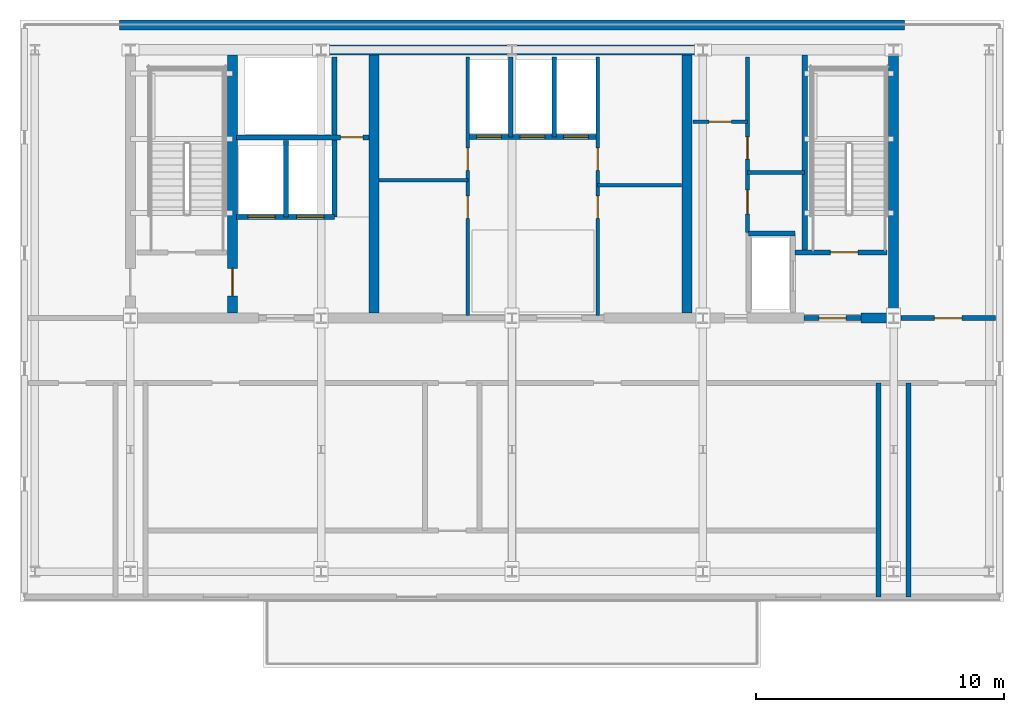
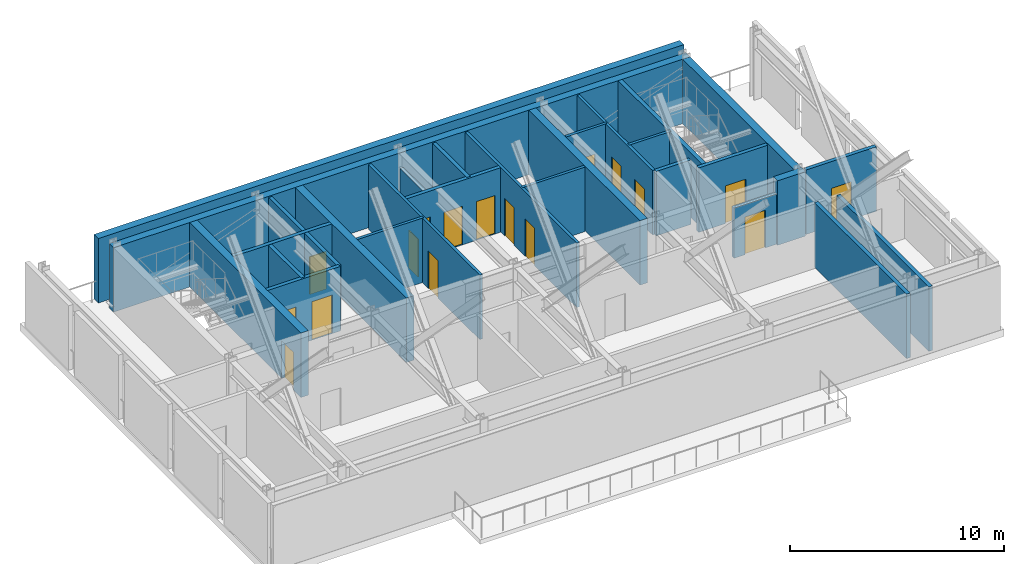
# One storey, part 3 of 8: 28 walls, 17 doors, 17 openings.
"""IFC4 building model written with IfcOpenShell, lengths in metres."""

from ifc_helpers import new_model, si_unit, direction, frame, frame_2d, origin, place, context, subcontext, project, spatial, rectangle, extrude, material, layer, layer_set, type_object, element, fill, save


model = new_model("IFC4")

# Units and contexts
model_context = context("Model", 3, precision=1e-05, world=origin(), true_north=direction((0.0, 1.0)))
body_context = subcontext(model_context, "Body", "Model", "MODEL_VIEW")
ifc_project = project(units=[si_unit("LENGTHUNIT", "METRE"), si_unit("AREAUNIT", "SQUARE_METRE"), si_unit("VOLUMEUNIT", "CUBIC_METRE"), si_unit("PLANEANGLEUNIT", "RADIAN"), si_unit("MASSUNIT", "GRAM", prefix="KILO")], contexts=[model_context])

# Site, building, storey
site_placement = place(None, origin())
site = spatial("IfcSite", under=ifc_project, at=site_placement, CompositionType="ELEMENT")
building_placement = place(site_placement, origin())
building = spatial("IfcBuilding", under=site, at=building_placement, Name="Yelkora Congress Tower", CompositionType="ELEMENT")
storey_placement = place(building_placement, frame((0.0, 0.0, 247.39990234375)))
storey = spatial("IfcBuildingStorey", under=building, at=storey_placement, Name="L69", CompositionType="ELEMENT", Elevation=247.39990234375)

# Walls
ifc_material_1 = material(Name="Concrete C50/60", Category="concrete")
ifc_layer_1 = layer(ifc_material_1, 0.39990234375)
ifc_layer_set_1 = layer_set([ifc_layer_1], Name="Concrete C50/60")
wall_type_1 = type_object("IfcWallType", Name="WALL-CORE-EXT-400", PredefinedType="SHEAR", material=ifc_layer_set_1)
wall_1_placement = place(storey_placement, frame((22.60009765625, 47.199951171875, 0.0), z_axis=(0.0, 0.0, 1.0), x_axis=(1.0, 0.0, 0.0)))
element("IfcWall", 1, at=wall_1_placement, inside=storey, type_object=wall_type_1, Name="L69 Exterior North Core Shear Wall", PredefinedType="SHEAR", context=body_context, shape_type="SweptSolid", body=[
    extrude(rectangle(XDim=31.599853515625, YDim=0.39990234375, at=frame_2d((15.7998046875, 0.0))), origin(), (0.0, 0.0, 1.0), 3.68017578125),
])
ifc_layer_2 = layer(ifc_material_1, 0.219970703125)
ifc_layer_set_2 = layer_set([ifc_layer_2], Name="Concrete C50/60")
wall_type_2 = type_object("IfcWallType", Name="WALL-CORE-INT-220", PredefinedType="SHEAR", material=ifc_layer_set_2)
wall_2_placement = place(storey_placement, frame((50.179931640625, 38.050048828125, 0.0), z_axis=(0.0, 0.0, 1.0), x_axis=(0.0, 1.0, 0.0)))
element("IfcWall", 2, at=wall_2_placement, inside=storey, type_object=wall_type_2, Name="L69 ST02 West Stair Shear Wall", PredefinedType="SHEAR", context=body_context, shape_type="SweptSolid", body=[
    extrude(rectangle(XDim=7.949951171875, YDim=0.219970703125, at=frame_2d((3.97509765625, 0.0))), origin(), (0.0, 0.0, 1.0), 3.68017578125),
])
ifc_layer_3 = layer(ifc_material_1, 0.39990234375)
ifc_layer_set_3 = layer_set([ifc_layer_3], Name="Concrete C50/60")
wall_type_3 = type_object("IfcWallType", Name="WALL-CORE-INT-400", PredefinedType="SHEAR", material=ifc_layer_set_3)
wall_3_placement = place(storey_placement, frame((22.840087890625, 46.199951171875, 0.0), z_axis=(0.0, 0.0, 1.0), x_axis=(1.0, 0.0, 0.0)))
element("IfcWall", 3, at=wall_3_placement, inside=storey, type_object=wall_type_3, Name="L69 Rear Core North Shear Wall", PredefinedType="SHEAR", context=body_context, shape_type="SweptSolid", body=[
    extrude(rectangle(XDim=31.119873046875, YDim=0.39990234375, at=frame_2d((15.56005859375, 0.0))), origin(), (0.0, 0.0, 1.0), 3.68017578125),
])
wall_4_placement = place(storey_placement, frame((52.449951171875, 35.39990234375, 0.0), z_axis=(0.0, 0.0, 1.0), x_axis=(1.0, 0.0, 0.0)))
element("IfcWall", 4, at=wall_4_placement, inside=storey, type_object=wall_type_3, Name="L69 Rear Core South-East Shear Wall B", PredefinedType="SHEAR", context=body_context, shape_type="SweptSolid", body=[
    extrude(rectangle(XDim=1.510009765625, YDim=0.39990234375, at=frame_2d((0.7548828125, 0.0))), origin(), (0.0, 0.0, 1.0), 3.68017578125),
])

# Wall, opening, door
wall_5_placement = place(storey_placement, frame((27.14990234375, 35.60009765625, 0.0), z_axis=(0.0, 0.0, 1.0), x_axis=(0.0, 1.0, 0.0)))
wall_5 = element("IfcWall", 5, at=wall_5_placement, inside=storey, type_object=wall_type_3, Name="L69 Rear Core Cross Shear Wall C1", PredefinedType="SHEAR", context=body_context, shape_type="SweptSolid", body=[
    extrude(rectangle(XDim=10.39990234375, YDim=0.39990234375, at=frame_2d((5.199951171875, 0.0))), origin(), (0.0, 0.0, 1.0), 3.68017578125),
])
opening_1_placement = place(wall_5_placement, frame((0.699951171875, 0.0, 0.0)))
opening_1 = element("IfcOpeningElement", 6, at=opening_1_placement, cuts=wall_5, Name="Opening DR-110F9", PredefinedType="OPENING", context=body_context, shape_type="SweptSolid", body=[
    extrude(rectangle(XDim=1.10009765625, YDim=2.14990234375, at=frame_2d((0.550048828125, 1.074951171875))), frame((0.0, 0.2099609375, 0.0), z_axis=(0.0, -1.0, 0.0), x_axis=(1.0, 0.0, 0.0)), (0.0, 0.0, 1.0), 0.419921875),
])
ifc_material_2 = material(Name="Galvanised steel fire door leaf", Category="steel")
door_type_1 = type_object("IfcDoorType", Name="DOOR-FD90-1100", OperationType="NOTDEFINED", PredefinedType="DOOR", material=ifc_material_2)
door_1_placement = place(opening_1_placement, origin())
door_1 = element("IfcDoor", 7, at=door_1_placement, inside=storey, type_object=door_type_1, Name="L69 Firefighting Stair Transfer Door", OperationType="SINGLE_SWING_LEFT", OverallHeight=2.14990234375, OverallWidth=1.10009765625, PredefinedType="DOOR", context=body_context, shape_type="SweptSolid", body=[
    extrude(rectangle(XDim=1.10009765625, YDim=2.14990234375, at=frame_2d((0.550048828125, 1.074951171875))), frame((0.0, 0.02490234375, 0.0), z_axis=(0.0, -1.0, 0.0), x_axis=(1.0, 0.0, 0.0)), (0.0, 0.0, 1.0), 0.050048828125),
])
fill(opening_1, door_1)

# Walls
for number, where, z_axis, x_axis, name in (
    (8, (32.85009765625, 35.60009765625, 0.0), (0.0, 0.0, 1.0), (0.0, 1.0, 0.0), "L69 Rear Core Cross Shear Wall C2"),
    (9, (45.449951171875, 35.60009765625, 0.0), (0.0, 0.0, 1.0), (0.0, 1.0, 0.0), "L69 Rear Core Cross Shear Wall C3"),
    (10, (53.760009765625, 35.60009765625, 0.0), (0.0, 0.0, 1.0), (0.0, 1.0, 0.0), "L69 Rear Core Cross Shear Wall E"),
):
    element("IfcWall", number, at=place(storey_placement, frame(where, z_axis=z_axis, x_axis=x_axis)), inside=storey, type_object=wall_type_3, Name=name, PredefinedType="SHEAR", context=body_context, shape_type="SweptSolid", body=[
        extrude(rectangle(XDim=10.39990234375, YDim=0.39990234375, at=frame_2d((5.199951171875, 0.0))), origin(), (0.0, 0.0, 1.0), 3.68017578125),
    ])

# Wall, opening, door
ifc_material_3 = material(Name="Acoustic metal-stud gypsum partition", Category="gypsum")
ifc_layer_4 = layer(ifc_material_3, 0.14990234375)
ifc_layer_set_4 = layer_set([ifc_layer_4], Name="Acoustic metal-stud gypsum partition")
wall_type_4 = type_object("IfcWallType", Name="WALL-INT-150-NR", PredefinedType="PARTITIONING", material=ifc_layer_set_4)
wall_6_placement = place(storey_placement, frame((45.679931640625, 43.31005859375, 0.0), z_axis=(0.0, 0.0, 1.0), x_axis=(1.0, 0.0, 0.0)))
wall_6 = element("IfcWall", 11, at=wall_6_placement, inside=storey, type_object=wall_type_4, Name="L69 Partition Wall 20", PredefinedType="PARTITIONING", context=body_context, shape_type="SweptSolid", body=[
    extrude(rectangle(XDim=2.199951171875, YDim=0.14990234375, at=frame_2d((1.10009765625, 0.0))), origin(), (0.0, 0.0, 1.0), 3.68017578125),
])
opening_2_placement = place(wall_6_placement, frame((0.64990234375, 0.0, 0.0)))
opening_2 = element("IfcOpeningElement", 12, at=opening_2_placement, cuts=wall_6, Name="Opening DR-090N", PredefinedType="OPENING", context=body_context, shape_type="SweptSolid", body=[
    extrude(rectangle(XDim=0.89990234375, YDim=2.14990234375, at=frame_2d((0.449951171875, 1.074951171875))), frame((0.0, 0.0849609375, 0.0), z_axis=(0.0, -1.0, 0.0), x_axis=(1.0, 0.0, 0.0)), (0.0, 0.0, 1.0), 0.169921875),
])
ifc_material_4 = material(Name="Moisture-resistant laminate door leaf", Category="wood")
door_type_2 = type_object("IfcDoorType", Name="DOOR-INT-900", OperationType="NOTDEFINED", PredefinedType="DOOR", material=ifc_material_4)
door_2_placement = place(opening_2_placement, origin())
door_2 = element("IfcDoor", 13, at=door_2_placement, inside=storey, type_object=door_type_2, Name="L69 Male WC Door", OperationType="SINGLE_SWING_LEFT", OverallHeight=2.14990234375, OverallWidth=0.89990234375, PredefinedType="DOOR", context=body_context, shape_type="SweptSolid", body=[
    extrude(rectangle(XDim=0.89990234375, YDim=2.14990234375, at=frame_2d((0.449951171875, 1.074951171875))), frame((0.0, 0.02490234375, 0.0), z_axis=(0.0, -1.0, 0.0), x_axis=(1.0, 0.0, 0.0)), (0.0, 0.0, 1.0), 0.050048828125),
])
fill(opening_2, door_2)

# Wall
wall_7_placement = place(storey_placement, frame((47.8798828125, 41.260009765625, 0.0), z_axis=(0.0, 0.0, 1.0), x_axis=(1.0, 0.0, 0.0)))
element("IfcWall", 14, at=wall_7_placement, inside=storey, type_object=wall_type_4, Name="L69 Partition Wall 21", PredefinedType="PARTITIONING", context=body_context, shape_type="SweptSolid", body=[
    extrude(rectangle(XDim=2.300048828125, YDim=0.14990234375, at=frame_2d((1.14990234375, 0.0))), origin(), (0.0, 0.0, 1.0), 3.68017578125),
])

# Wall, openings, doors
wall_8_placement = place(storey_placement, frame((47.8798828125, 38.85009765625, 0.0), z_axis=(0.0, 0.0, 1.0), x_axis=(0.0, 1.0, 0.0)))
wall_8 = element("IfcWall", 15, at=wall_8_placement, inside=storey, type_object=wall_type_4, Name="L69 Partition Wall 22", PredefinedType="PARTITIONING", context=body_context, shape_type="SweptSolid", body=[
    extrude(rectangle(XDim=7.06982421875, YDim=0.14990234375, at=frame_2d((3.534912109375, 0.0))), origin(), (0.0, 0.0, 1.0), 3.68017578125),
])
opening_3_placement = place(wall_8_placement, frame((0.75, 0.0, 0.0)))
opening_3 = element("IfcOpeningElement", 16, at=opening_3_placement, cuts=wall_8, Name="Opening DR-095N", PredefinedType="OPENING", context=body_context, shape_type="SweptSolid", body=[
    extrude(rectangle(XDim=0.949951171875, YDim=2.14990234375, at=frame_2d((0.47509765625, 1.074951171875))), frame((0.0, 0.0849609375, 0.0), z_axis=(0.0, -1.0, 0.0), x_axis=(1.0, 0.0, 0.0)), (0.0, 0.0, 1.0), 0.169921875),
])
opening_4_placement = place(wall_8_placement, frame((2.949951171875, 0.0, 0.0)))
opening_4 = element("IfcOpeningElement", 17, at=opening_4_placement, cuts=wall_8, Name="Opening DR-090N", PredefinedType="OPENING", context=body_context, shape_type="SweptSolid", body=[
    extrude(rectangle(XDim=0.89990234375, YDim=2.14990234375, at=frame_2d((0.449951171875, 1.074951171875))), frame((0.0, 0.0849609375, 0.0), z_axis=(0.0, -1.0, 0.0), x_axis=(1.0, 0.0, 0.0)), (0.0, 0.0, 1.0), 0.169921875),
])
door_3_placement = place(opening_4_placement, origin())
door_3 = element("IfcDoor", 18, at=door_3_placement, inside=storey, type_object=door_type_2, Name="L69 Female WC Door", OperationType="SINGLE_SWING_LEFT", OverallHeight=2.14990234375, OverallWidth=0.89990234375, PredefinedType="DOOR", context=body_context, shape_type="SweptSolid", body=[
    extrude(rectangle(XDim=0.89990234375, YDim=2.14990234375, at=frame_2d((0.449951171875, 1.074951171875))), frame((0.0, 0.02490234375, 0.0), z_axis=(0.0, -1.0, 0.0), x_axis=(1.0, 0.0, 0.0)), (0.0, 0.0, 1.0), 0.050048828125),
])
fill(opening_4, door_3)
ifc_material_5 = material(Name="Acoustic laminated timber office door", Category="wood")
door_type_3 = type_object("IfcDoorType", Name="DOOR-INT-950", OperationType="NOTDEFINED", PredefinedType="DOOR", material=ifc_material_5)
door_4_placement = place(opening_3_placement, origin())
door_4 = element("IfcDoor", 19, at=door_4_placement, inside=storey, type_object=door_type_3, Name="L69 Accessible WC Door", OperationType="SINGLE_SWING_RIGHT", OverallHeight=2.14990234375, OverallWidth=0.949951171875, PredefinedType="DOOR", context=body_context, shape_type="SweptSolid", body=[
    extrude(rectangle(XDim=0.949951171875, YDim=2.14990234375, at=frame_2d((0.47509765625, 1.074951171875))), frame((0.0, 0.02490234375, 0.0), z_axis=(0.0, -1.0, 0.0), x_axis=(1.0, 0.0, 0.0)), (0.0, 0.0, 1.0), 0.050048828125),
])
fill(opening_3, door_4)

# Wall
ifc_material_6 = material(Name="Twin-stud fire-rated gypsum partition", Category="gypsum")
ifc_layer_5 = layer(ifc_material_6, 0.14990234375)
ifc_layer_set_5 = layer_set([ifc_layer_5], Name="Twin-stud fire-rated gypsum partition")
wall_type_5 = type_object("IfcWallType", Name="WALL-INT-150-R60", PredefinedType="PARTITIONING", material=ifc_layer_set_5)
wall_9_placement = place(storey_placement, frame((33.050048828125, 40.949951171875, 0.0), z_axis=(0.0, 0.0, 1.0), x_axis=(1.0, 0.0, 0.0)))
element("IfcWall", 20, at=wall_9_placement, inside=storey, type_object=wall_type_5, Name="L69 Partition Wall 11", PredefinedType="PARTITIONING", context=body_context, shape_type="SweptSolid", body=[
    extrude(rectangle(XDim=3.570068359375, YDim=0.14990234375, at=frame_2d((1.78515625, 0.0))), origin(), (0.0, 0.0, 1.0), 3.68017578125),
])

# Wall, openings, doors
wall_10_placement = place(storey_placement, frame((36.6201171875, 35.5, 0.0), z_axis=(0.0, 0.0, 1.0), x_axis=(0.0, 1.0, 0.0)))
wall_10 = element("IfcWall", 21, at=wall_10_placement, inside=storey, type_object=wall_type_5, Name="L69 Partition Wall 12", PredefinedType="PARTITIONING", context=body_context, shape_type="SweptSolid", body=[
    extrude(rectangle(XDim=10.419921875, YDim=0.14990234375, at=frame_2d((5.2099609375, 0.0))), origin(), (0.0, 0.0, 1.0), 3.68017578125),
])
opening_5_placement = place(wall_10_placement, frame((3.919921875, 0.0, 0.0)))
opening_5 = element("IfcOpeningElement", 22, at=opening_5_placement, cuts=wall_10, Name="Opening DR-090F6", PredefinedType="OPENING", context=body_context, shape_type="SweptSolid", body=[
    extrude(rectangle(XDim=0.89990234375, YDim=2.14990234375, at=frame_2d((0.449951171875, 1.074951171875))), frame((0.0, 0.0849609375, 0.0), z_axis=(0.0, -1.0, 0.0), x_axis=(1.0, 0.0, 0.0)), (0.0, 0.0, 1.0), 0.169921875),
])
opening_6_placement = place(wall_10_placement, frame((5.85009765625, 0.0, 0.0)))
opening_6 = element("IfcOpeningElement", 23, at=opening_6_placement, cuts=wall_10, Name="Opening DR-090F6", PredefinedType="OPENING", context=body_context, shape_type="SweptSolid", body=[
    extrude(rectangle(XDim=0.89990234375, YDim=2.14990234375, at=frame_2d((0.449951171875, 1.074951171875))), frame((0.0, 0.0849609375, 0.0), z_axis=(0.0, -1.0, 0.0), x_axis=(1.0, 0.0, 0.0)), (0.0, 0.0, 1.0), 0.169921875),
])
ifc_material_7 = material(Name="Painted steel riser fire door leaf", Category="steel")
door_type_4 = type_object("IfcDoorType", Name="DOOR-FD60-900", OperationType="NOTDEFINED", PredefinedType="DOOR", material=ifc_material_7)
door_5_placement = place(opening_5_placement, origin())
door_5 = element("IfcDoor", 24, at=door_5_placement, inside=storey, type_object=door_type_4, Name="L69 Telecom Store Door", OperationType="SINGLE_SWING_RIGHT", OverallHeight=2.14990234375, OverallWidth=0.89990234375, PredefinedType="DOOR", context=body_context, shape_type="SweptSolid", body=[
    extrude(rectangle(XDim=0.89990234375, YDim=2.14990234375, at=frame_2d((0.449951171875, 1.074951171875))), frame((0.0, 0.02490234375, 0.0), z_axis=(0.0, -1.0, 0.0), x_axis=(1.0, 0.0, 0.0)), (0.0, 0.0, 1.0), 0.050048828125),
])
fill(opening_5, door_5)
door_6_placement = place(opening_6_placement, origin())
door_6 = element("IfcDoor", 25, at=door_6_placement, inside=storey, type_object=door_type_4, Name="L69 Archive Store Door", OperationType="SINGLE_SWING_LEFT", OverallHeight=2.14990234375, OverallWidth=0.89990234375, PredefinedType="DOOR", context=body_context, shape_type="SweptSolid", body=[
    extrude(rectangle(XDim=0.89990234375, YDim=2.14990234375, at=frame_2d((0.449951171875, 1.074951171875))), frame((0.0, 0.02490234375, 0.0), z_axis=(0.0, -1.0, 0.0), x_axis=(1.0, 0.0, 0.0)), (0.0, 0.0, 1.0), 0.050048828125),
])
fill(opening_6, door_6)

# Wall
wall_11_placement = place(storey_placement, frame((41.85009765625, 40.75, 0.0), z_axis=(0.0, 0.0, 1.0), x_axis=(1.0, 0.0, 0.0)))
element("IfcWall", 26, at=wall_11_placement, inside=storey, type_object=wall_type_5, Name="L69 Partition Wall 13", PredefinedType="PARTITIONING", context=body_context, shape_type="SweptSolid", body=[
    extrude(rectangle(XDim=3.369873046875, YDim=0.14990234375, at=frame_2d((1.68505859375, 0.0))), origin(), (0.0, 0.0, 1.0), 3.68017578125),
])

# Wall, openings, doors
wall_12_placement = place(storey_placement, frame((41.85009765625, 35.5, 0.0), z_axis=(0.0, 0.0, 1.0), x_axis=(0.0, 1.0, 0.0)))
wall_12 = element("IfcWall", 27, at=wall_12_placement, inside=storey, type_object=wall_type_5, Name="L69 Partition Wall 14", PredefinedType="PARTITIONING", context=body_context, shape_type="SweptSolid", body=[
    extrude(rectangle(XDim=10.419921875, YDim=0.14990234375, at=frame_2d((5.2099609375, 0.0))), origin(), (0.0, 0.0, 1.0), 3.68017578125),
])
opening_7_placement = place(wall_12_placement, frame((3.919921875, 0.0, 0.0)))
opening_7 = element("IfcOpeningElement", 28, at=opening_7_placement, cuts=wall_12, Name="Opening DR-090F6", PredefinedType="OPENING", context=body_context, shape_type="SweptSolid", body=[
    extrude(rectangle(XDim=0.89990234375, YDim=2.14990234375, at=frame_2d((0.449951171875, 1.074951171875))), frame((0.0, 0.0849609375, 0.0), z_axis=(0.0, -1.0, 0.0), x_axis=(1.0, 0.0, 0.0)), (0.0, 0.0, 1.0), 0.169921875),
])
opening_8_placement = place(wall_12_placement, frame((5.85009765625, 0.0, 0.0)))
opening_8 = element("IfcOpeningElement", 29, at=opening_8_placement, cuts=wall_12, Name="Opening DR-090F6", PredefinedType="OPENING", context=body_context, shape_type="SweptSolid", body=[
    extrude(rectangle(XDim=0.89990234375, YDim=2.14990234375, at=frame_2d((0.449951171875, 1.074951171875))), frame((0.0, 0.0849609375, 0.0), z_axis=(0.0, -1.0, 0.0), x_axis=(1.0, 0.0, 0.0)), (0.0, 0.0, 1.0), 0.169921875),
])
door_7_placement = place(opening_7_placement, origin())
door_7 = element("IfcDoor", 30, at=door_7_placement, inside=storey, type_object=door_type_4, Name="L69 High-Zone BMS Door", OperationType="SINGLE_SWING_RIGHT", OverallHeight=2.14990234375, OverallWidth=0.89990234375, PredefinedType="DOOR", context=body_context, shape_type="SweptSolid", body=[
    extrude(rectangle(XDim=0.89990234375, YDim=2.14990234375, at=frame_2d((0.449951171875, 1.074951171875))), frame((0.0, 0.02490234375, 0.0), z_axis=(0.0, -1.0, 0.0), x_axis=(1.0, 0.0, 0.0)), (0.0, 0.0, 1.0), 0.050048828125),
])
fill(opening_7, door_7)
door_8_placement = place(opening_8_placement, origin())
door_8 = element("IfcDoor", 31, at=door_8_placement, inside=storey, type_object=door_type_4, Name="L69 Linen Store Door", OperationType="SINGLE_SWING_LEFT", OverallHeight=2.14990234375, OverallWidth=0.89990234375, PredefinedType="DOOR", context=body_context, shape_type="SweptSolid", body=[
    extrude(rectangle(XDim=0.89990234375, YDim=2.14990234375, at=frame_2d((0.449951171875, 1.074951171875))), frame((0.0, 0.02490234375, 0.0), z_axis=(0.0, -1.0, 0.0), x_axis=(1.0, 0.0, 0.0)), (0.0, 0.0, 1.0), 0.050048828125),
])
fill(opening_8, door_8)

ifc_material_8 = material(Name="Autoclaved aerated concrete blockwork", Category="masonry")
ifc_layer_6 = layer(ifc_material_8, 0.199951171875)
ifc_layer_set_6 = layer_set([ifc_layer_6], Name="Autoclaved aerated concrete blockwork")
wall_type_6 = type_object("IfcWallType", Name="WALL-INT-200-R120", PredefinedType="PARTITIONING", material=ifc_layer_set_6)
wall_13_placement = place(storey_placement, frame((27.320068359375, 39.47998046875, 0.0), z_axis=(0.0, 0.0, 1.0), x_axis=(1.0, 0.0, 0.0)))
wall_13 = element("IfcWall", 32, at=wall_13_placement, inside=storey, type_object=wall_type_6, Name="L69 Firefighting Lift Front Wall", PredefinedType="PARTITIONING", context=body_context, shape_type="SweptSolid", body=[
    extrude(rectangle(XDim=3.93994140625, YDim=0.199951171875, at=frame_2d((1.969970703125, 0.0))), origin(), (0.0, 0.0, 1.0), 3.68017578125),
])
opening_9_placement = place(wall_13_placement, frame((0.449951171875, 0.0, 0.0)))
opening_9 = element("IfcOpeningElement", 33, at=opening_9_placement, cuts=wall_13, Name="Opening LD-FF11", PredefinedType="OPENING", context=body_context, shape_type="SweptSolid", body=[
    extrude(rectangle(XDim=1.10009765625, YDim=2.199951171875, at=frame_2d((0.550048828125, 1.10009765625))), frame((0.0, 0.10986328125, 0.0), z_axis=(0.0, -1.0, 0.0), x_axis=(1.0, 0.0, 0.0)), (0.0, 0.0, 1.0), 0.219970703125),
])
opening_10_placement = place(wall_13_placement, frame((2.409912109375, 0.0, 0.0)))
opening_10 = element("IfcOpeningElement", 34, at=opening_10_placement, cuts=wall_13, Name="Opening LD-FF11", PredefinedType="OPENING", context=body_context, shape_type="SweptSolid", body=[
    extrude(rectangle(XDim=1.10009765625, YDim=2.199951171875, at=frame_2d((0.550048828125, 1.10009765625))), frame((0.0, 0.10986328125, 0.0), z_axis=(0.0, -1.0, 0.0), x_axis=(1.0, 0.0, 0.0)), (0.0, 0.0, 1.0), 0.219970703125),
])
ifc_material_9 = material(Name="Brushed stainless steel 316L landing door", Category="steel")
door_type_5 = type_object("IfcDoorType", Name="DOOR-LIFT-FF-1100", OperationType="DOUBLE_DOOR_SLIDING", PredefinedType="DOOR", material=ifc_material_9)
door_9_placement = place(opening_9_placement, origin())
door_9 = element("IfcDoor", 35, at=door_9_placement, inside=storey, type_object=door_type_5, Name="Lift Landing Door LF-FF1 L69", OperationType="DOUBLE_DOOR_SLIDING", OverallHeight=2.199951171875, OverallWidth=1.10009765625, PredefinedType="DOOR", context=body_context, shape_type="SweptSolid", body=[
    extrude(rectangle(XDim=1.10009765625, YDim=2.199951171875, at=frame_2d((0.550048828125, 1.10009765625))), frame((0.0, 0.02490234375, 0.0), z_axis=(0.0, -1.0, 0.0), x_axis=(1.0, 0.0, 0.0)), (0.0, 0.0, 1.0), 0.050048828125),
])
fill(opening_9, door_9)
door_10_placement = place(opening_10_placement, origin())
door_10 = element("IfcDoor", 36, at=door_10_placement, inside=storey, type_object=door_type_5, Name="Lift Landing Door LF-FF2 L69", OperationType="DOUBLE_DOOR_SLIDING", OverallHeight=2.199951171875, OverallWidth=1.10009765625, PredefinedType="DOOR", context=body_context, shape_type="SweptSolid", body=[
    extrude(rectangle(XDim=1.10009765625, YDim=2.199951171875, at=frame_2d((0.550048828125, 1.10009765625))), frame((0.0, 0.02490234375, 0.0), z_axis=(0.0, -1.0, 0.0), x_axis=(1.0, 0.0, 0.0)), (0.0, 0.0, 1.0), 0.050048828125),
])
fill(opening_10, door_10)

# Walls
wall_14_placement = place(storey_placement, frame((29.300048828125, 39.47998046875, 0.0), z_axis=(0.0, 0.0, 1.0), x_axis=(0.0, 1.0, 0.0)))
element("IfcWall", 37, at=wall_14_placement, inside=storey, type_object=wall_type_6, Name="L69 Partition Wall 4", PredefinedType="PARTITIONING", context=body_context, shape_type="SweptSolid", body=[
    extrude(rectangle(XDim=3.070068359375, YDim=0.199951171875, at=frame_2d((1.53515625, 0.0))), origin(), (0.0, 0.0, 1.0), 3.68017578125),
])
wall_15_placement = place(storey_placement, frame((31.260009765625, 39.47998046875, 0.0), z_axis=(0.0, 0.0, 1.0), x_axis=(0.0, 1.0, 0.0)))
element("IfcWall", 38, at=wall_15_placement, inside=storey, type_object=wall_type_6, Name="L69 Partition Wall 5", PredefinedType="PARTITIONING", context=body_context, shape_type="SweptSolid", body=[
    extrude(rectangle(XDim=6.43994140625, YDim=0.199951171875, at=frame_2d((3.219970703125, 0.0))), origin(), (0.0, 0.0, 1.0), 3.68017578125),
])

# Wall, opening, door
wall_16_placement = place(storey_placement, frame((27.320068359375, 42.679931640625, 0.0), z_axis=(0.0, 0.0, 1.0), x_axis=(1.0, 0.0, 0.0)))
wall_16 = element("IfcWall", 39, at=wall_16_placement, inside=storey, type_object=wall_type_6, Name="L69 Smoke Riser South Wall", PredefinedType="PARTITIONING", context=body_context, shape_type="SweptSolid", body=[
    extrude(rectangle(XDim=5.329833984375, YDim=0.199951171875, at=frame_2d((2.6650390625, 0.0))), origin(), (0.0, 0.0, 1.0), 3.68017578125),
])
opening_11_placement = place(wall_16_placement, frame((4.179931640625, 0.0, 0.0)))
opening_11 = element("IfcOpeningElement", 40, at=opening_11_placement, cuts=wall_16, Name="Opening DR-090F6", PredefinedType="OPENING", context=body_context, shape_type="SweptSolid", body=[
    extrude(rectangle(XDim=0.89990234375, YDim=2.14990234375, at=frame_2d((0.449951171875, 1.074951171875))), frame((0.0, 0.10986328125, 0.0), z_axis=(0.0, -1.0, 0.0), x_axis=(1.0, 0.0, 0.0)), (0.0, 0.0, 1.0), 0.219970703125),
])
door_11_placement = place(opening_11_placement, origin())
door_11 = element("IfcDoor", 41, at=door_11_placement, inside=storey, type_object=door_type_4, Name="L69 Riser Access Door", OperationType="SINGLE_SWING_LEFT", OverallHeight=2.14990234375, OverallWidth=0.89990234375, PredefinedType="DOOR", context=body_context, shape_type="SweptSolid", body=[
    extrude(rectangle(XDim=0.89990234375, YDim=2.14990234375, at=frame_2d((0.449951171875, 1.074951171875))), frame((0.0, 0.02490234375, 0.0), z_axis=(0.0, -1.0, 0.0), x_axis=(1.0, 0.0, 0.0)), (0.0, 0.0, 1.0), 0.050048828125),
])
fill(opening_11, door_11)

# Wall, openings, doors
wall_17_placement = place(storey_placement, frame((36.60009765625, 42.699951171875, 0.0), z_axis=(0.0, 0.0, 1.0), x_axis=(1.0, 0.0, 0.0)))
wall_17 = element("IfcWall", 42, at=wall_17_placement, inside=storey, type_object=wall_type_6, Name="L69 Partition Wall 8", PredefinedType="PARTITIONING", context=body_context, shape_type="SweptSolid", body=[
    extrude(rectangle(XDim=5.25, YDim=0.199951171875, at=frame_2d((2.625, 0.0))), origin(), (0.0, 0.0, 1.0), 3.68017578125),
])
opening_12_placement = place(wall_17_placement, frame((0.375, 0.0, 0.0)))
opening_12 = element("IfcOpeningElement", 43, at=opening_12_placement, cuts=wall_17, Name="Opening LD-PS10", PredefinedType="OPENING", context=body_context, shape_type="SweptSolid", body=[
    extrude(rectangle(XDim=1.0, YDim=2.199951171875, at=frame_2d((0.5, 1.10009765625))), frame((0.0, 0.10986328125, 0.0), z_axis=(0.0, -1.0, 0.0), x_axis=(1.0, 0.0, 0.0)), (0.0, 0.0, 1.0), 0.219970703125),
])
opening_13_placement = place(wall_17_placement, frame((2.125, 0.0, 0.0)))
opening_13 = element("IfcOpeningElement", 44, at=opening_13_placement, cuts=wall_17, Name="Opening LD-PS10", PredefinedType="OPENING", context=body_context, shape_type="SweptSolid", body=[
    extrude(rectangle(XDim=1.0, YDim=2.199951171875, at=frame_2d((0.5, 1.10009765625))), frame((0.0, 0.10986328125, 0.0), z_axis=(0.0, -1.0, 0.0), x_axis=(1.0, 0.0, 0.0)), (0.0, 0.0, 1.0), 0.219970703125),
])
opening_14_placement = place(wall_17_placement, frame((3.875, 0.0, 0.0)))
opening_14 = element("IfcOpeningElement", 45, at=opening_14_placement, cuts=wall_17, Name="Opening LD-PS10", PredefinedType="OPENING", context=body_context, shape_type="SweptSolid", body=[
    extrude(rectangle(XDim=1.0, YDim=2.199951171875, at=frame_2d((0.5, 1.10009765625))), frame((0.0, 0.10986328125, 0.0), z_axis=(0.0, -1.0, 0.0), x_axis=(1.0, 0.0, 0.0)), (0.0, 0.0, 1.0), 0.219970703125),
])
ifc_material_10 = material(Name="Champagne stainless steel landing door", Category="steel")
door_type_6 = type_object("IfcDoorType", Name="DOOR-LIFT-PAS-1000", OperationType="DOUBLE_DOOR_SLIDING", PredefinedType="DOOR", material=ifc_material_10)
door_12_placement = place(opening_12_placement, origin())
door_12 = element("IfcDoor", 46, at=door_12_placement, inside=storey, type_object=door_type_6, Name="Lift Landing Door LF-P9 L69", OperationType="DOUBLE_DOOR_SLIDING", OverallHeight=2.199951171875, OverallWidth=1.0, PredefinedType="DOOR", context=body_context, shape_type="SweptSolid", body=[
    extrude(rectangle(XDim=1.0, YDim=2.199951171875, at=frame_2d((0.5, 1.10009765625))), frame((0.0, 0.02490234375, 0.0), z_axis=(0.0, -1.0, 0.0), x_axis=(1.0, 0.0, 0.0)), (0.0, 0.0, 1.0), 0.050048828125),
])
fill(opening_12, door_12)
door_13_placement = place(opening_13_placement, origin())
door_13 = element("IfcDoor", 47, at=door_13_placement, inside=storey, type_object=door_type_6, Name="Lift Landing Door LF-P10 L69", OperationType="DOUBLE_DOOR_SLIDING", OverallHeight=2.199951171875, OverallWidth=1.0, PredefinedType="DOOR", context=body_context, shape_type="SweptSolid", body=[
    extrude(rectangle(XDim=1.0, YDim=2.199951171875, at=frame_2d((0.5, 1.10009765625))), frame((0.0, 0.02490234375, 0.0), z_axis=(0.0, -1.0, 0.0), x_axis=(1.0, 0.0, 0.0)), (0.0, 0.0, 1.0), 0.050048828125),
])
fill(opening_13, door_13)
door_14_placement = place(opening_14_placement, origin())
door_14 = element("IfcDoor", 48, at=door_14_placement, inside=storey, type_object=door_type_6, Name="Lift Landing Door LF-P11 L69", OperationType="DOUBLE_DOOR_SLIDING", OverallHeight=2.199951171875, OverallWidth=1.0, PredefinedType="DOOR", context=body_context, shape_type="SweptSolid", body=[
    extrude(rectangle(XDim=1.0, YDim=2.199951171875, at=frame_2d((0.5, 1.10009765625))), frame((0.0, 0.02490234375, 0.0), z_axis=(0.0, -1.0, 0.0), x_axis=(1.0, 0.0, 0.0)), (0.0, 0.0, 1.0), 0.050048828125),
])
fill(opening_14, door_14)

# Walls
wall_18_placement = place(storey_placement, frame((38.35009765625, 42.699951171875, 0.0), z_axis=(0.0, 0.0, 1.0), x_axis=(0.0, 1.0, 0.0)))
element("IfcWall", 49, at=wall_18_placement, inside=storey, type_object=wall_type_6, Name="L69 Partition Wall 9", PredefinedType="PARTITIONING", context=body_context, shape_type="SweptSolid", body=[
    extrude(rectangle(XDim=3.219970703125, YDim=0.199951171875, at=frame_2d((1.60986328125, 0.0))), origin(), (0.0, 0.0, 1.0), 2.861083984375),
])
wall_19_placement = place(storey_placement, frame((40.10009765625, 42.699951171875, 0.0), z_axis=(0.0, 0.0, 1.0), x_axis=(0.0, 1.0, 0.0)))
element("IfcWall", 50, at=wall_19_placement, inside=storey, type_object=wall_type_6, Name="L69 Partition Wall 10", PredefinedType="PARTITIONING", context=body_context, shape_type="SweptSolid", body=[
    extrude(rectangle(XDim=3.219970703125, YDim=0.199951171875, at=frame_2d((1.60986328125, 0.0))), origin(), (0.0, 0.0, 1.0), 3.68017578125),
])

# Wall, opening, door
wall_20_placement = place(storey_placement, frame((49.780029296875, 38.050048828125, 0.0), z_axis=(0.0, 0.0, 1.0), x_axis=(1.0, 0.0, 0.0)))
wall_20 = element("IfcWall", 51, at=wall_20_placement, inside=storey, type_object=wall_type_6, Name="L69 Stair ST-02 Enclosure Wall", PredefinedType="PARTITIONING", context=body_context, shape_type="SweptSolid", body=[
    extrude(rectangle(XDim=3.719970703125, YDim=0.199951171875, at=frame_2d((1.85986328125, 0.0))), origin(), (0.0, 0.0, 1.0), 3.68017578125),
])
opening_15_placement = place(wall_20_placement, frame((1.436279296875, 0.0, 0.0)))
opening_15 = element("IfcOpeningElement", 52, at=opening_15_placement, cuts=wall_20, Name="Opening DR-110F9", PredefinedType="OPENING", context=body_context, shape_type="SweptSolid", body=[
    extrude(rectangle(XDim=1.10009765625, YDim=2.14990234375, at=frame_2d((0.550048828125, 1.074951171875))), frame((0.0, 0.10986328125, 0.0), z_axis=(0.0, -1.0, 0.0), x_axis=(1.0, 0.0, 0.0)), (0.0, 0.0, 1.0), 0.219970703125),
])
door_15_placement = place(opening_15_placement, origin())
door_15 = element("IfcDoor", 53, at=door_15_placement, inside=storey, type_object=door_type_1, Name="L69 Stair ST-02 Entry Door", OperationType="SINGLE_SWING_RIGHT", OverallHeight=2.14990234375, OverallWidth=1.10009765625, PredefinedType="DOOR", context=body_context, shape_type="SweptSolid", body=[
    extrude(rectangle(XDim=1.10009765625, YDim=2.14990234375, at=frame_2d((0.550048828125, 1.074951171875))), frame((0.0, 0.02490234375, 0.0), z_axis=(0.0, -1.0, 0.0), x_axis=(1.0, 0.0, 0.0)), (0.0, 0.0, 1.0), 0.050048828125),
])
fill(opening_15, door_15)

wall_21_placement = place(storey_placement, frame((50.14990234375, 35.39990234375, 0.0), z_axis=(0.0, 0.0, 1.0), x_axis=(1.0, 0.0, 0.0)))
wall_21 = element("IfcWall", 54, at=wall_21_placement, inside=storey, type_object=wall_type_6, Name="L69 Partition Wall 16", PredefinedType="PARTITIONING", context=body_context, shape_type="SweptSolid", body=[
    extrude(rectangle(XDim=2.300048828125, YDim=0.199951171875, at=frame_2d((1.14990234375, 0.0))), origin(), (0.0, 0.0, 1.0), 2.861083984375),
])
opening_16_placement = place(wall_21_placement, frame((0.60009765625, 0.0, 0.0)))
opening_16 = element("IfcOpeningElement", 55, at=opening_16_placement, cuts=wall_21, Name="Opening DR-110F9", PredefinedType="OPENING", context=body_context, shape_type="SweptSolid", body=[
    extrude(rectangle(XDim=1.10009765625, YDim=2.14990234375, at=frame_2d((0.550048828125, 1.074951171875))), frame((0.0, 0.10986328125, 0.0), z_axis=(0.0, -1.0, 0.0), x_axis=(1.0, 0.0, 0.0)), (0.0, 0.0, 1.0), 0.219970703125),
])
door_16_placement = place(opening_16_placement, origin())
door_16 = element("IfcDoor", 56, at=door_16_placement, inside=storey, type_object=door_type_1, Name="L69 East Stair Lobby Door", OperationType="SINGLE_SWING_LEFT", OverallHeight=2.14990234375, OverallWidth=1.10009765625, PredefinedType="DOOR", context=body_context, shape_type="SweptSolid", body=[
    extrude(rectangle(XDim=1.10009765625, YDim=2.14990234375, at=frame_2d((0.550048828125, 1.074951171875))), frame((0.0, 0.02490234375, 0.0), z_axis=(0.0, -1.0, 0.0), x_axis=(1.0, 0.0, 0.0)), (0.0, 0.0, 1.0), 0.050048828125),
])
fill(opening_16, door_16)

# Wall
wall_22_placement = place(storey_placement, frame((47.919921875, 38.800048828125, 0.0), z_axis=(0.0, 0.0, 1.0), x_axis=(1.0, 0.0, 0.0)))
element("IfcWall", 57, at=wall_22_placement, inside=storey, type_object=wall_type_6, Name="L69 Partition Wall 19", PredefinedType="PARTITIONING", context=body_context, shape_type="SweptSolid", body=[
    extrude(rectangle(XDim=1.860107421875, YDim=0.199951171875, at=frame_2d((0.93017578125, 0.0))), origin(), (0.0, 0.0, 1.0), 3.68017578125),
])

# Wall, opening, door
wall_23_placement = place(storey_placement, frame((54.050048828125, 35.39990234375, 0.0), z_axis=(0.0, 0.0, 1.0), x_axis=(1.0, 0.0, 0.0)))
wall_23 = element("IfcWall", 58, at=wall_23_placement, inside=storey, type_object=wall_type_6, Name="L69 Partition Wall 24", PredefinedType="PARTITIONING", context=body_context, shape_type="SweptSolid", body=[
    extrude(rectangle(XDim=3.800048828125, YDim=0.199951171875, at=frame_2d((1.89990234375, 0.0))), origin(), (0.0, 0.0, 1.0), 3.68017578125),
])
opening_17_placement = place(wall_23_placement, frame((1.35009765625, 0.0, 0.0)))
opening_17 = element("IfcOpeningElement", 59, at=opening_17_placement, cuts=wall_23, Name="Opening DR-110F9", PredefinedType="OPENING", context=body_context, shape_type="SweptSolid", body=[
    extrude(rectangle(XDim=1.10009765625, YDim=2.14990234375, at=frame_2d((0.550048828125, 1.074951171875))), frame((0.0, 0.10986328125, 0.0), z_axis=(0.0, -1.0, 0.0), x_axis=(1.0, 0.0, 0.0)), (0.0, 0.0, 1.0), 0.219970703125),
])
door_17_placement = place(opening_17_placement, origin())
door_17 = element("IfcDoor", 60, at=door_17_placement, inside=storey, type_object=door_type_1, Name="L69 Interior Door 20", OperationType="SINGLE_SWING_RIGHT", OverallHeight=2.14990234375, OverallWidth=1.10009765625, PredefinedType="DOOR", context=body_context, shape_type="SweptSolid", body=[
    extrude(rectangle(XDim=1.10009765625, YDim=2.14990234375, at=frame_2d((0.550048828125, 1.074951171875))), frame((0.0, 0.02490234375, 0.0), z_axis=(0.0, -1.0, 0.0), x_axis=(1.0, 0.0, 0.0)), (0.0, 0.0, 1.0), 0.050048828125),
])
fill(opening_17, door_17)

# Walls
for number, where, z_axis, x_axis, name in (
    (61, (53.14990234375, 24.179931640625, 0.0), (0.0, 0.0, 1.0), (0.0, 1.0, 0.0), "L69 Partition Wall 27"),
    (62, (54.35009765625, 24.179931640625, 0.0), (0.0, 0.0, 1.0), (0.0, 1.0, 0.0), "L69 Partition Wall 28"),
):
    element("IfcWall", number, at=place(storey_placement, frame(where, z_axis=z_axis, x_axis=x_axis)), inside=storey, type_object=wall_type_6, Name=name, PredefinedType="PARTITIONING", context=body_context, shape_type="SweptSolid", body=[
        extrude(rectangle(XDim=8.6201171875, YDim=0.199951171875, at=frame_2d((4.31005859375, 0.0))), origin(), (0.0, 0.0, 1.0), 3.68017578125),
    ])

save(model, "model.ifc")
